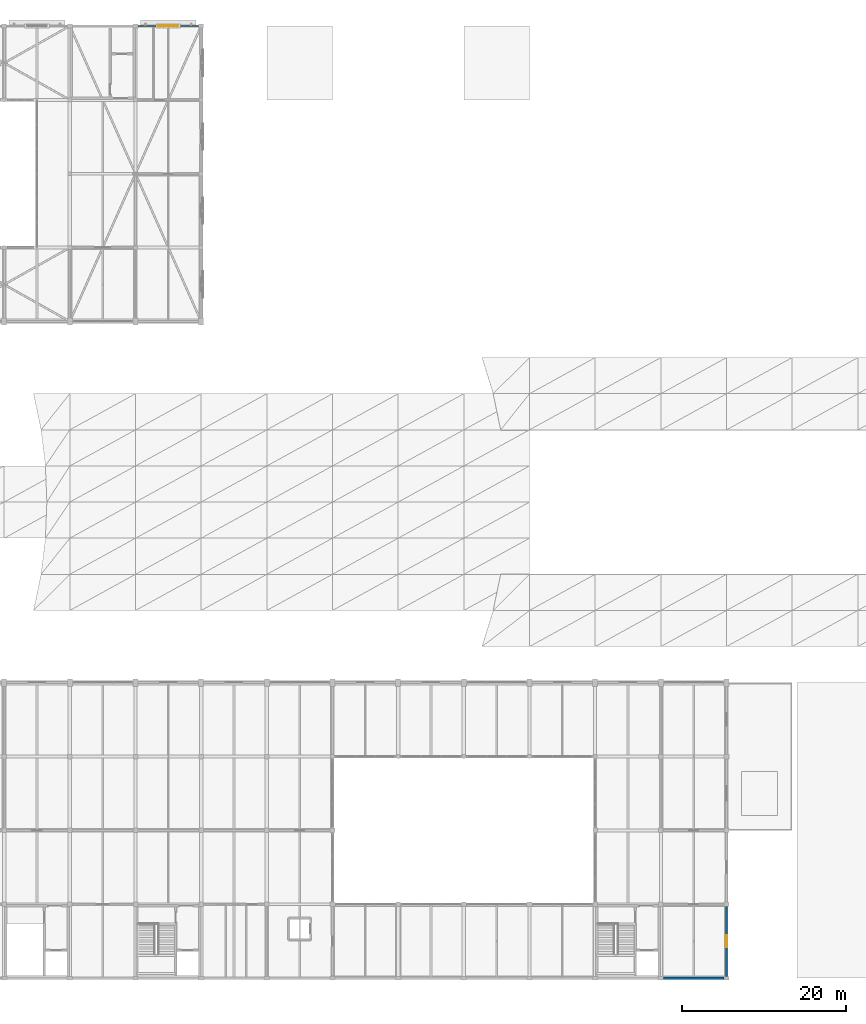
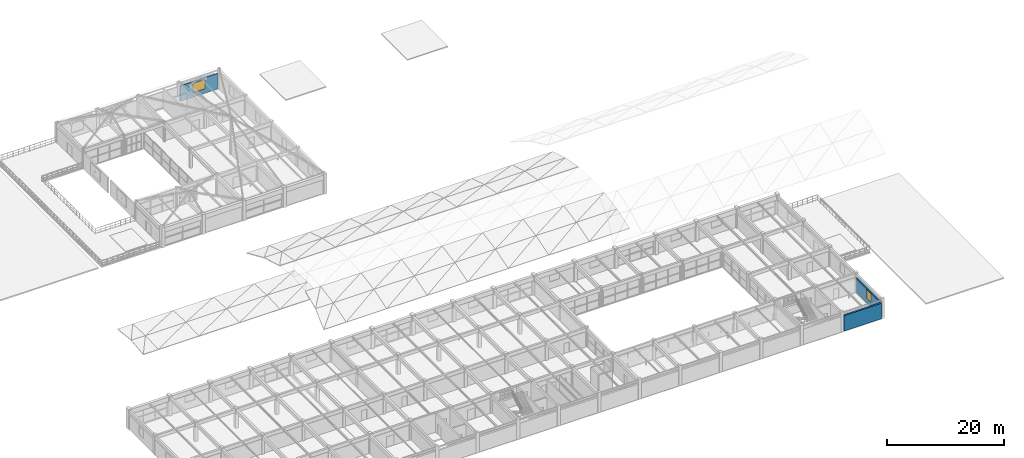
# One storey, part 47 of 63: 3 walls, 2 windows, 2 openings.
"""IFC4 building model written with IfcOpenShell, lengths in metres."""

from ifc_helpers import new_model, si_unit, direction, frame, frame_2d, origin, place, context, subcontext, project, spatial, rectangle, extrude, material, layer, layer_set, type_object, element, fill, save


model = new_model("IFC4")

# Units and contexts
model_context = context("Model", 3, precision=1e-05, world=origin(), true_north=direction((0.0, 1.0)))
body_context = subcontext(model_context, "Body", "Model", "MODEL_VIEW")
ifc_project = project(units=[si_unit("LENGTHUNIT", "METRE"), si_unit("AREAUNIT", "SQUARE_METRE"), si_unit("VOLUMEUNIT", "CUBIC_METRE"), si_unit("PLANEANGLEUNIT", "RADIAN"), si_unit("MASSUNIT", "GRAM", prefix="KILO")], contexts=[model_context])

# Site, building, storey
site_placement = place(None, origin())
site = spatial("IfcSite", under=ifc_project, at=site_placement, CompositionType="ELEMENT")
building_placement = place(site_placement, origin())
building = spatial("IfcBuilding", under=site, at=building_placement, Name="Varnabhumi Central Station", CompositionType="ELEMENT")
storey_placement = place(building_placement, frame((0.0, 0.0, 20.39990234375)))
storey = spatial("IfcBuildingStorey", under=building, at=storey_placement, Name="L04", CompositionType="ELEMENT", Elevation=20.39990234375)

# Wall, opening, window
ifc_material_1 = material(Name="Autoclaved aerated blockwork masonry", Category="masonry")
ifc_layer_1 = layer(ifc_material_1, 0.260009765625, Name="Autoclaved aerated blockwork masonry", Category="masonry")
ifc_layer_set_1 = layer_set([ifc_layer_1], Name="Autoclaved aerated blockwork masonry")
wall_type_1 = type_object("IfcWallType", Name="WAL-EXT-STUCCO-260", PredefinedType="SOLIDWALL", material=ifc_layer_set_1)
wall_1_placement = place(storey_placement, frame((88.294921875, 116.0, 0.0), z_axis=(0.0, 0.0, 1.0), x_axis=(1.0, 0.0, 0.0)))
wall_1 = element("IfcWall", 1, at=wall_1_placement, inside=storey, type_object=wall_type_1, Name="North Boulevard Wall L04-4", PredefinedType="SOLIDWALL", context=body_context, shape_type="SweptSolid", body=[
    extrude(rectangle(XDim=7.41015625, YDim=0.260009765625, at=frame_2d((3.705078125, 0.0))), origin(), (0.0, 0.0, 1.0), 3.210205078125),
])
opening_1_placement = place(wall_1_placement, frame((2.5048828125, 0.0, 0.89990234375)))
opening_1 = element("IfcOpeningElement", 2, at=opening_1_placement, cuts=wall_1, Name="Opening W-05", PredefinedType="OPENING", context=body_context, shape_type="SweptSolid", body=[
    extrude(rectangle(XDim=2.39990234375, YDim=1.989990234375, at=frame_2d((1.199951171875, 0.9951171875))), frame((0.0, 0.139892578125, 0.0), z_axis=(0.0, -1.0, 0.0), x_axis=(1.0, 0.0, 0.0)), (0.0, 0.0, 1.0), 0.280029296875),
])
ifc_material_2 = material(Name="Laminated low-E double glazing", Category="glass")
window_type_1 = type_object("IfcWindowType", Name="WIN-TALL-2400x3200", PartitioningType="TRIPLE_PANEL_HORIZONTAL", PredefinedType="WINDOW", material=ifc_material_2)
window_1_placement = place(opening_1_placement, origin())
window_1 = element("IfcWindow", 3, at=window_1_placement, inside=storey, type_object=window_type_1, Name="North Facade Window L04-4", OverallHeight=1.989990234375, OverallWidth=2.39990234375, PartitioningType="SINGLE_PANEL", PredefinedType="WINDOW", context=body_context, shape_type="SweptSolid", body=[
    extrude(rectangle(XDim=2.39990234375, YDim=1.989990234375, at=frame_2d((1.199951171875, 0.9951171875))), frame((0.0, 0.030029296875, 0.0), z_axis=(0.0, -1.0, 0.0), x_axis=(1.0, 0.0, 0.0)), (0.0, 0.0, 1.0), 0.06005859375),
])
fill(opening_1, window_1)

wall_2_placement = place(storey_placement, frame((160.0, 0.219970703125, 0.0), z_axis=(0.0, 0.0, 1.0), x_axis=(0.0, 1.0, 0.0)))
wall_2 = element("IfcWall", 4, at=wall_2_placement, inside=storey, type_object=wall_type_1, Name="South Wing W End Wall L04-1", PredefinedType="SOLIDWALL", context=body_context, shape_type="SweptSolid", body=[
    extrude(rectangle(XDim=8.510009765625, YDim=0.260009765625, at=frame_2d((4.2548828125, 0.0))), origin(), (0.0, 0.0, 1.0), 3.18017578125),
])
opening_2_placement = place(wall_2_placement, frame((3.530029296875, 0.0, 0.949951171875)))
opening_2 = element("IfcOpeningElement", 5, at=opening_2_placement, cuts=wall_2, Name="Opening W-07", PredefinedType="OPENING", context=body_context, shape_type="SweptSolid", body=[
    extrude(rectangle(XDim=1.5, YDim=1.89990234375, at=frame_2d((0.75, 0.949951171875))), frame((0.0, 0.139892578125, 0.0), z_axis=(0.0, -1.0, 0.0), x_axis=(1.0, 0.0, 0.0)), (0.0, 0.0, 1.0), 0.280029296875),
])
window_type_2 = type_object("IfcWindowType", Name="WIN-OPS-1500x1900", PartitioningType="SINGLE_PANEL", PredefinedType="WINDOW", material=ifc_material_2)
window_2_placement = place(opening_2_placement, origin())
window_2 = element("IfcWindow", 6, at=window_2_placement, inside=storey, type_object=window_type_2, Name="South W Window L04-1", OverallHeight=1.89990234375, OverallWidth=1.5, PartitioningType="SINGLE_PANEL", PredefinedType="WINDOW", context=body_context, shape_type="SweptSolid", body=[
    extrude(rectangle(XDim=1.5, YDim=1.89990234375, at=frame_2d((0.75, 0.949951171875))), frame((0.0, 0.030029296875, 0.0), z_axis=(0.0, -1.0, 0.0), x_axis=(1.0, 0.0, 0.0)), (0.0, 0.0, 1.0), 0.06005859375),
])
fill(opening_2, window_2)

# Wall
ifc_material_3 = material(Name="Concrete M40", Category="concrete")
ifc_layer_2 = layer(ifc_material_3, 0.340087890625, Name="Concrete M40", Category="concrete")
ifc_layer_set_2 = layer_set([ifc_layer_2], Name="Concrete M40")
wall_type_2 = type_object("IfcWallType", Name="WAL-SOUTH-FIRE-340", PredefinedType="SOLIDWALL", material=ifc_layer_set_2)
wall_3_placement = place(storey_placement, frame((152.320068359375, 0.0, 0.0), z_axis=(0.0, 0.0, 1.0), x_axis=(1.0, 0.0, 0.0)))
element("IfcWall", 7, at=wall_3_placement, inside=storey, type_object=wall_type_2, Name="South Infill Boundary Fire Wall L04-16", PredefinedType="SOLIDWALL", context=body_context, shape_type="SweptSolid", body=[
    extrude(rectangle(XDim=7.35986328125, YDim=0.340087890625, at=frame_2d((3.679931640625, 0.0))), origin(), (0.0, 0.0, 1.0), 3.239990234375),
])

save(model, "model.ifc")
